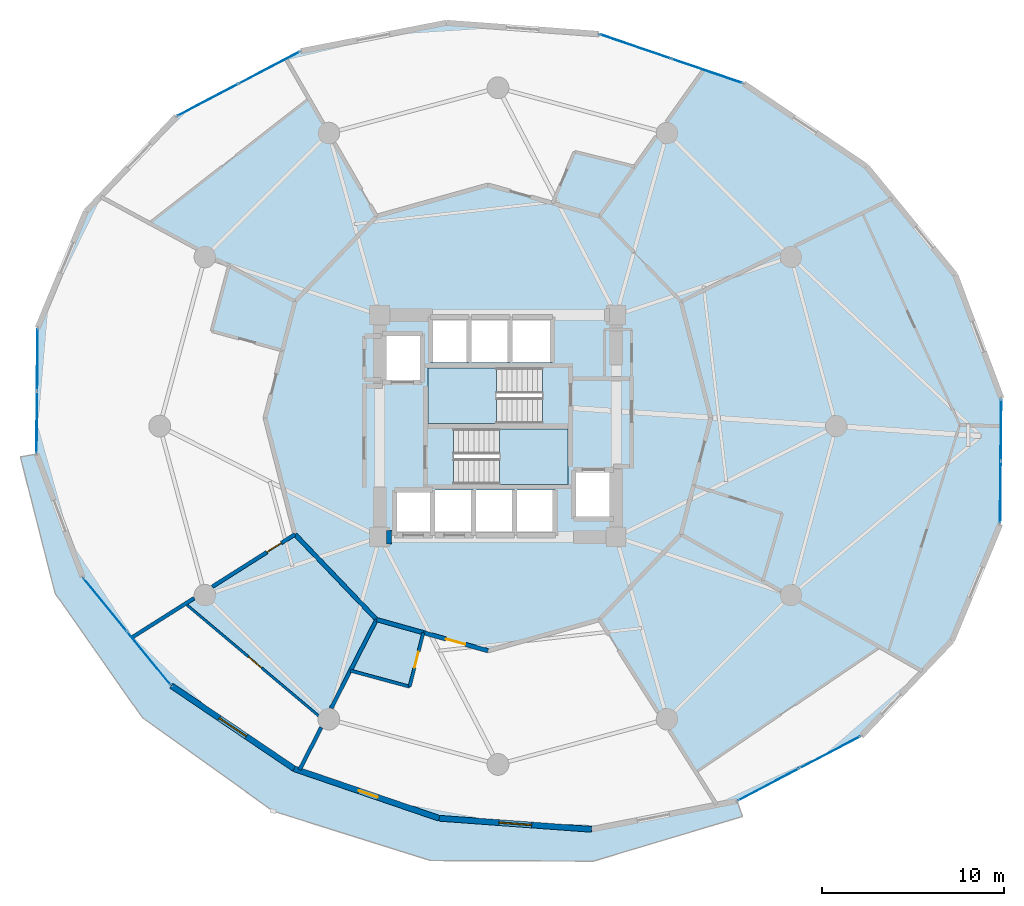
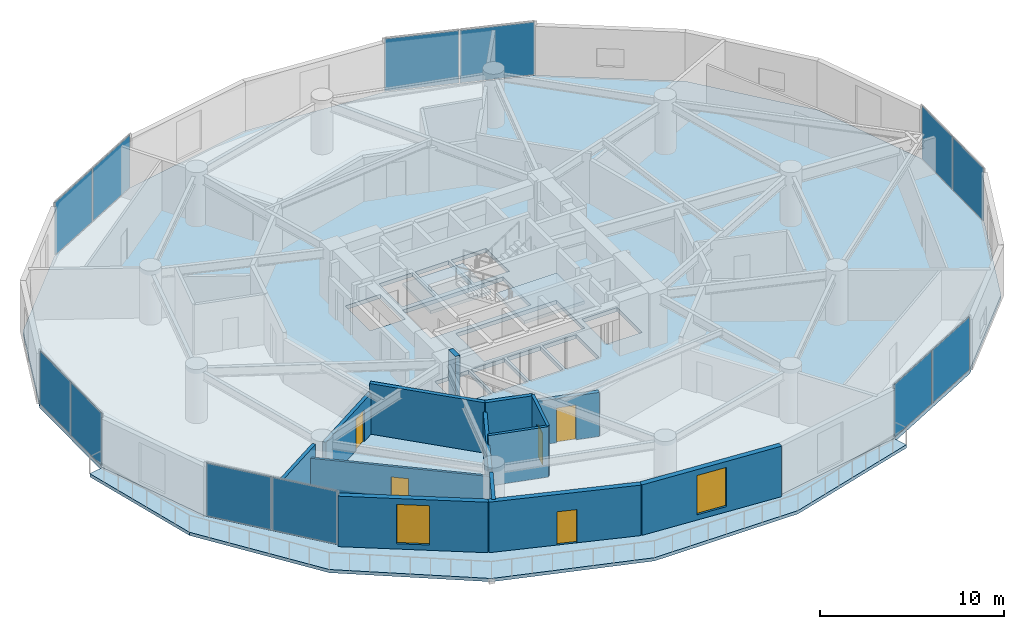
# One storey, part 14 of 20: 14 walls, 12 plates, 5 doors, 4 slabs, 2 windows, 7 openings, 8 elements without a shape of their own.
"""IFC4 building model written with IfcOpenShell, lengths in metres."""

from ifc_helpers import new_model, si_unit, direction, frame, frame_2d, origin, origin_2d, place, context, subcontext, project, spatial, polyline, rectangle, outline, extrude, source, transform, mapped, material, layer, layer_set, type_object, element, fill, aggregate, save


model = new_model("IFC4")

# Units and contexts
model_context = context("Model", 3, precision=1e-05, world=origin(), true_north=direction((0.0, 1.0)))
body_context = subcontext(model_context, "Body", "Model", "MODEL_VIEW")
ifc_project = project(units=[si_unit("LENGTHUNIT", "METRE"), si_unit("AREAUNIT", "SQUARE_METRE"), si_unit("VOLUMEUNIT", "CUBIC_METRE"), si_unit("PLANEANGLEUNIT", "RADIAN"), si_unit("MASSUNIT", "GRAM", prefix="KILO")], contexts=[model_context])

# Site, building, storey
site_placement = place(None, origin())
site = spatial("IfcSite", under=ifc_project, at=site_placement, CompositionType="ELEMENT")
building_placement = place(site_placement, origin())
building = spatial("IfcBuilding", under=site, at=building_placement, Name="Solvirekh Grand Hotel", CompositionType="ELEMENT")
storey_placement = place(building_placement, frame((0.0, 0.0, 50.0)))
storey = spatial("IfcBuildingStorey", under=building, at=storey_placement, Name="L11", CompositionType="ELEMENT", Elevation=50.0)

# Slab
ifc_material_1 = material(Name="Concrete C50/60", Category="concrete")
ifc_layer_1 = layer(ifc_material_1, 0.215087890625)
ifc_layer_set_1 = layer_set([ifc_layer_1], Name="Concrete C50/60")
slab_type_1 = type_object("IfcSlabType", Name="ExtCrescentBalc_215", PredefinedType="FLOOR", material=ifc_layer_set_1)
slab_1_placement = place(storey_placement, frame((0.0, 0.0, -0.215087890625)))
element("IfcSlab", 1, at=slab_1_placement, inside=storey, type_object=slab_type_1, Name="L11 sweeping crescent balcony slab", PredefinedType="FLOOR", context=body_context, shape_type="SweptSolid", body=[
    extrude(outline(polyline([(-26.2548828125, -1.693115234375), (-24.347900390625, -9.18896484375), (-19.547119140625, -16.029052734375), (-12.35791015625, -21.1650390625), (-3.717041015625, -23.881103515625), (5.248046875, -23.9150390625), (13.44091796875, -21.4599609375), (13.14599609375, -20.60888671875), (5.14697265625, -22.16796875), (-3.243896484375, -21.556884765625), (-11.2041015625, -18.8349609375), (-17.955078125, -14.27001953125), (-22.8359375, -8.30810546875), (-25.368896484375, -1.532958984375), (-26.2548828125, -1.693115234375)])), origin(), (0.0, 0.0, 1.0), 0.215087890625),
])

# Stair, slab
ifc_material_2 = material(Name="Concrete C40/50", Category="concrete")
stair_type = type_object("IfcStairType", Name="Stair_Core_1450", PredefinedType="HALF_TURN_STAIR", material=ifc_material_2)
stair_1_placement = place(storey_placement, origin())
stair_1 = element("IfcStair", 2, at=stair_1_placement, inside=storey, type_object=stair_type, Name="L11 Enclosed exit stair ST-1", PredefinedType="HALF_TURN_STAIR")
ifc_layer_2 = layer(ifc_material_2, 0.199951171875)
ifc_layer_set_2 = layer_set([ifc_layer_2], Name="Concrete C40/50")
slab_type_2 = type_object("IfcSlabType", Name="Landing_Stair_200", PredefinedType="LANDING", material=ifc_layer_set_2)
slab_2_placement = place(storey_placement, frame((0.0, 0.0, 1.60009765625)))
slab_2 = element("IfcSlab", 3, at=slab_2_placement, type_object=slab_type_2, Name="ST-1 landing 1", PredefinedType="LANDING", context=body_context, shape_type="SweptSolid", body=[
    extrude(outline(polyline([(0.070068359375, -3.199951171875), (3.85009765625, -3.199951171875), (3.85009765625, -0.14990234375), (0.070068359375, -0.14990234375), (0.070068359375, -3.199951171875)])), origin(), (0.0, 0.0, 1.0), 0.199951171875),
])
aggregate(stair_1, [slab_2])

stair_2_placement = place(storey_placement, origin())
stair_2 = element("IfcStair", 4, at=stair_2_placement, inside=storey, type_object=stair_type, Name="L11 Enclosed exit stair ST-2", PredefinedType="HALF_TURN_STAIR")
slab_3_placement = place(storey_placement, frame((0.0, 0.0, 1.60009765625)))
slab_3 = element("IfcSlab", 5, at=slab_3_placement, type_object=slab_type_2, Name="ST-2 landing 1", PredefinedType="LANDING", context=body_context, shape_type="SweptSolid", body=[
    extrude(outline(polyline([(-0.070068359375, 3.199951171875), (-3.85009765625, 3.199951171875), (-3.85009765625, 0.14990234375), (-0.070068359375, 0.14990234375), (-0.070068359375, 3.199951171875)])), origin(), (0.0, 0.0, 1.0), 0.199951171875),
])
aggregate(stair_2, [slab_3])

# Slab
ifc_layer_3 = layer(ifc_material_1, 0.260009765625)
ifc_layer_set_3 = layer_set([ifc_layer_3], Name="Concrete C50/60")
slab_type_3 = type_object("IfcSlabType", Name="Slab_GuestZ1_260", PredefinedType="FLOOR", material=ifc_layer_set_3)
slab_4_placement = place(storey_placement, frame((0.0, 0.0, -0.260009765625)))
element("IfcSlab", 6, at=slab_4_placement, inside=storey, type_object=slab_type_3, Name="L11 structural floor slab", PredefinedType="FLOOR", context=body_context, shape_type="SweptSolid", body=[
    extrude(outline(polyline([(27.60595703125, -5.39208984375), (27.6689453125, 1.532958984375), (25.135986328125, 8.30810546875), (20.2548828125, 14.27001953125), (13.50390625, 18.8349609375), (5.5439453125, 21.556884765625), (-2.846923828125, 22.16796875), (-10.845947265625, 20.60888671875), (-17.6708984375, 17.032958984375), (-22.654052734375, 11.7900390625), (-25.305908203125, 5.39208984375), (-25.368896484375, -1.532958984375), (-22.8359375, -8.30810546875), (-17.955078125, -14.27001953125), (-11.2041015625, -18.8349609375), (-3.243896484375, -21.556884765625), (5.14697265625, -22.16796875), (13.14599609375, -20.60888671875), (19.970947265625, -17.032958984375), (24.9541015625, -11.7900390625), (27.60595703125, -5.39208984375)]), holes=[polyline([(-2.444091796875, -0.14990234375), (3.85009765625, -0.14990234375), (3.85009765625, -3.199951171875), (-2.444091796875, -3.199951171875), (-2.444091796875, -0.14990234375)]), polyline([(2.444091796875, 0.14990234375), (-3.85009765625, 0.14990234375), (-3.85009765625, 3.199951171875), (2.444091796875, 3.199951171875), (2.444091796875, 0.14990234375)]), polyline([(-5.699951171875, -3.5), (-3.60009765625, -3.5), (-3.60009765625, -6.0), (-5.699951171875, -6.0), (-5.699951171875, -3.5)]), polyline([(-3.449951171875, -3.5), (-1.35009765625, -3.5), (-1.35009765625, -6.0), (-3.449951171875, -6.0), (-3.449951171875, -3.5)]), polyline([(-1.199951171875, -3.5), (0.89990234375, -3.5), (0.89990234375, -6.0), (-1.199951171875, -6.0), (-1.199951171875, -3.5)]), polyline([(1.050048828125, -3.5), (3.14990234375, -3.5), (3.14990234375, -6.0), (1.050048828125, -6.0), (1.050048828125, -3.5)]), polyline([(-3.699951171875, 6.0), (-1.60009765625, 6.0), (-1.60009765625, 3.5), (-3.699951171875, 3.5), (-3.699951171875, 6.0)]), polyline([(-1.449951171875, 6.0), (0.64990234375, 6.0), (0.64990234375, 3.5), (-1.449951171875, 3.5), (-1.449951171875, 6.0)]), polyline([(0.800048828125, 6.0), (3.0, 6.0), (3.0, 3.5), (0.800048828125, 3.5), (0.800048828125, 6.0)]), polyline([(-6.35009765625, 5.10009765625), (-4.14990234375, 5.10009765625), (-4.14990234375, 2.39990234375), (-6.35009765625, 2.39990234375), (-6.35009765625, 5.10009765625)]), polyline([(4.14990234375, -2.39990234375), (6.35009765625, -2.39990234375), (6.35009765625, -5.10009765625), (4.14990234375, -5.10009765625), (4.14990234375, -2.39990234375)])]), origin(), (0.0, 0.0, 1.0), 0.260009765625),
])

# Curtain wall, plates
ifc_material_3 = material(Name="Anodized Bronze Aluminium 6063-T6", Category="aluminium")
ifc_layer_4 = layer(ifc_material_3, 0.18994140625)
ifc_layer_set_4 = layer_set([ifc_layer_4], Name="Anodized Bronze Aluminium 6063-T6")
curtain_wall_type = type_object("IfcCurtainWallType", Name="CW_Sys2_LowZoneFlushBronzeCW", PredefinedType="NOTDEFINED", material=ifc_layer_set_4)
curtain_wall_1_placement = place(storey_placement, origin())
curtain_wall_1 = element("IfcCurtainWall", 7, at=curtain_wall_1_placement, inside=storey, type_object=curtain_wall_type, Name="L11 unitised bronze-glass curtain wall CW-L11-C08", PredefinedType="NOTDEFINED")
ifc_material_4 = material(Name="Low-E Tinted Bronze Laminated Glass", Category="aluminium")
ifc_layer_5 = layer(ifc_material_4, 0.0380859375)
ifc_layer_set_5 = layer_set([ifc_layer_5], Name="Low-E Tinted Bronze Laminated Glass")
plate_type = type_object("IfcPlateType", Name="CWPanel_Low_38", PredefinedType="CURTAIN_PANEL", material=ifc_layer_set_5)
shared_shape_1 = source(origin(), body_context, "Body", "SweptSolid", [
    extrude(rectangle(XDim=3.74755859375, YDim=0.0380859375, at=origin_2d()), origin(), (0.0, 0.0, 1.0), 3.47998046875),
])
plate_1_placement = place(storey_placement, frame((-12.56787109375, 19.706787109375, 0.06005859375), z_axis=(0.0, 0.0, 1.0), x_axis=(-0.885778183898, -0.464108833066, 0.0)))
plate_1 = element("IfcPlate", 8, at=plate_1_placement, type_object=plate_type, Name="U02 panel 1.1", PredefinedType="CURTAIN_PANEL", context=body_context, shape_type="MappedRepresentation", body=[
    mapped(shared_shape_1, transform((0.0, 0.0, 0.0), x_axis=(1.0, 0.0, 0.0), y_axis=(0.0, 1.0, 0.0), z_axis=(0.0, 0.0, 1.0), scale=1.0)),
])
plate_2_placement = place(storey_placement, frame((-15.94921875, 17.93505859375, 0.06005859375), z_axis=(0.0, 0.0, 1.0), x_axis=(-0.885778183898, -0.464108833066, 0.0)))
plate_2 = element("IfcPlate", 9, at=plate_2_placement, type_object=plate_type, Name="U02 panel 2.1", PredefinedType="CURTAIN_PANEL", context=body_context, shape_type="MappedRepresentation", body=[
    mapped(shared_shape_1, transform((0.0, 0.0, 0.0), x_axis=(1.0, 0.0, 0.0), y_axis=(0.0, 1.0, 0.0), z_axis=(0.0, 0.0, 1.0), scale=1.0)),
])
aggregate(curtain_wall_1, [plate_1, plate_2])

curtain_wall_2_placement = place(storey_placement, origin())
curtain_wall_2 = element("IfcCurtainWall", 10, at=curtain_wall_2_placement, inside=storey, type_object=curtain_wall_type, Name="L11 unitised bronze-glass curtain wall CW-L11-C13", PredefinedType="NOTDEFINED")
plate_3_placement = place(storey_placement, frame((-21.604736328125, -9.81201171875, 0.06005859375), z_axis=(0.0, 0.0, 1.0), x_axis=(0.633470985475, -0.773766444453, 0.0)))
plate_3 = element("IfcPlate", 11, at=plate_3_placement, type_object=plate_type, Name="U02 panel 1.1", PredefinedType="CURTAIN_PANEL", context=body_context, shape_type="MappedRepresentation", body=[
    mapped(shared_shape_1, transform((0.0, 0.0, 0.0), x_axis=(1.0, 0.0, 0.0), y_axis=(0.0, 1.0, 0.0), z_axis=(0.0, 0.0, 1.0), scale=1.0)),
])
plate_4_placement = place(storey_placement, frame((-19.186279296875, -12.765869140625, 0.06005859375), z_axis=(0.0, 0.0, 1.0), x_axis=(0.633470985475, -0.773766444453, 0.0)))
plate_4 = element("IfcPlate", 12, at=plate_4_placement, type_object=plate_type, Name="U02 panel 2.1", PredefinedType="CURTAIN_PANEL", context=body_context, shape_type="MappedRepresentation", body=[
    mapped(shared_shape_1, transform((0.0, 0.0, 0.0), x_axis=(1.0, 0.0, 0.0), y_axis=(0.0, 1.0, 0.0), z_axis=(0.0, 0.0, 1.0), scale=1.0)),
])
aggregate(curtain_wall_2, [plate_3, plate_4])

curtain_wall_3_placement = place(storey_placement, origin())
curtain_wall_3 = element("IfcCurtainWall", 13, at=curtain_wall_3_placement, inside=storey, type_object=curtain_wall_type, Name="L11 unitised bronze-glass curtain wall CW-L11-C18", PredefinedType="NOTDEFINED")
plate_5_placement = place(storey_placement, frame((14.86767578125, -19.706787109375, 0.06005859375), z_axis=(0.0, 0.0, 1.0), x_axis=(0.885778183898, 0.464108833066, 0.0)))
plate_5 = element("IfcPlate", 14, at=plate_5_placement, type_object=plate_type, Name="U02 panel 1.1", PredefinedType="CURTAIN_PANEL", context=body_context, shape_type="MappedRepresentation", body=[
    mapped(shared_shape_1, transform((0.0, 0.0, 0.0), x_axis=(1.0, 0.0, 0.0), y_axis=(0.0, 1.0, 0.0), z_axis=(0.0, 0.0, 1.0), scale=1.0)),
])
plate_6_placement = place(storey_placement, frame((18.249267578125, -17.93505859375, 0.06005859375), z_axis=(0.0, 0.0, 1.0), x_axis=(0.885778183898, 0.464108833066, 0.0)))
plate_6 = element("IfcPlate", 15, at=plate_6_placement, type_object=plate_type, Name="U02 panel 2.1", PredefinedType="CURTAIN_PANEL", context=body_context, shape_type="MappedRepresentation", body=[
    mapped(shared_shape_1, transform((0.0, 0.0, 0.0), x_axis=(1.0, 0.0, 0.0), y_axis=(0.0, 1.0, 0.0), z_axis=(0.0, 0.0, 1.0), scale=1.0)),
])
aggregate(curtain_wall_3, [plate_5, plate_6])

curtain_wall_4_placement = place(storey_placement, origin())
curtain_wall_4 = element("IfcCurtainWall", 16, at=curtain_wall_4_placement, inside=storey, type_object=curtain_wall_type, Name="L11 unitised bronze-glass curtain wall CW-L11-C01", PredefinedType="NOTDEFINED")
shared_shape_2 = source(origin(), body_context, "Body", "SweptSolid", [
    extrude(rectangle(XDim=3.357666015625, YDim=0.0380859375, at=origin_2d()), origin(), (0.0, 0.0, 1.0), 3.47998046875),
])
plate_7_placement = place(storey_placement, frame((27.621826171875, -3.643310546875, 0.06005859375), z_axis=(0.0, 0.0, 1.0), x_axis=(0.00909709647, 0.999958620562, 0.0)))
plate_7 = element("IfcPlate", 17, at=plate_7_placement, type_object=plate_type, Name="U02 panel 1.1", PredefinedType="CURTAIN_PANEL", context=body_context, shape_type="MappedRepresentation", body=[
    mapped(shared_shape_2, transform((0.0, 0.0, 0.0), x_axis=(1.0, 0.0, 0.0), y_axis=(0.0, 1.0, 0.0), z_axis=(0.0, 0.0, 1.0), scale=1.0)),
])
plate_8_placement = place(storey_placement, frame((27.653076171875, -0.2158203125, 0.06005859375), z_axis=(0.0, 0.0, 1.0), x_axis=(0.00909709647, 0.999958620562, 0.0)))
plate_8 = element("IfcPlate", 18, at=plate_8_placement, type_object=plate_type, Name="U02 panel 2.1", PredefinedType="CURTAIN_PANEL", context=body_context, shape_type="MappedRepresentation", body=[
    mapped(shared_shape_2, transform((0.0, 0.0, 0.0), x_axis=(1.0, 0.0, 0.0), y_axis=(0.0, 1.0, 0.0), z_axis=(0.0, 0.0, 1.0), scale=1.0)),
])
aggregate(curtain_wall_4, [plate_7, plate_8])

curtain_wall_5_placement = place(storey_placement, origin())
curtain_wall_5 = element("IfcCurtainWall", 19, at=curtain_wall_5_placement, inside=storey, type_object=curtain_wall_type, Name="L11 unitised bronze-glass curtain wall CW-L11-C11", PredefinedType="NOTDEFINED")
plate_9_placement = place(storey_placement, frame((-25.322021484375, 3.643310546875, 0.06005859375), z_axis=(0.0, 0.0, 1.0), x_axis=(-0.00909709647, -0.999958620562, 0.0)))
plate_9 = element("IfcPlate", 20, at=plate_9_placement, type_object=plate_type, Name="U02 panel 1.1", PredefinedType="CURTAIN_PANEL", context=body_context, shape_type="MappedRepresentation", body=[
    mapped(shared_shape_2, transform((0.0, 0.0, 0.0), x_axis=(1.0, 0.0, 0.0), y_axis=(0.0, 1.0, 0.0), z_axis=(0.0, 0.0, 1.0), scale=1.0)),
])
plate_10_placement = place(storey_placement, frame((-25.35302734375, 0.2158203125, 0.06005859375), z_axis=(0.0, 0.0, 1.0), x_axis=(-0.00909709647, -0.999958620562, 0.0)))
plate_10 = element("IfcPlate", 21, at=plate_10_placement, type_object=plate_type, Name="U02 panel 2.1", PredefinedType="CURTAIN_PANEL", context=body_context, shape_type="MappedRepresentation", body=[
    mapped(shared_shape_2, transform((0.0, 0.0, 0.0), x_axis=(1.0, 0.0, 0.0), y_axis=(0.0, 1.0, 0.0), z_axis=(0.0, 0.0, 1.0), scale=1.0)),
])
aggregate(curtain_wall_5, [plate_9, plate_10])

curtain_wall_6_placement = place(storey_placement, origin())
curtain_wall_6 = element("IfcCurtainWall", 22, at=curtain_wall_6_placement, inside=storey, type_object=curtain_wall_type, Name="L11 unitised bronze-glass curtain wall CW-L11-C05", PredefinedType="NOTDEFINED")
shared_shape_3 = source(origin(), body_context, "Body", "SweptSolid", [
    extrude(rectangle(XDim=4.101318359375, YDim=0.0380859375, at=origin_2d()), origin(), (0.0, 0.0, 1.0), 3.47998046875),
])
plate_11_placement = place(storey_placement, frame((11.49755859375, 19.521240234375, 0.06005859375), z_axis=(0.0, 0.0, 1.0), x_axis=(-0.946206130502, 0.323564458186, 0.0)))
plate_11 = element("IfcPlate", 23, at=plate_11_placement, type_object=plate_type, Name="U02 panel 1.1", PredefinedType="CURTAIN_PANEL", context=body_context, shape_type="MappedRepresentation", body=[
    mapped(shared_shape_3, transform((0.0, 0.0, 0.0), x_axis=(1.0, 0.0, 0.0), y_axis=(0.0, 1.0, 0.0), z_axis=(0.0, 0.0, 1.0), scale=1.0)),
])
plate_12_placement = place(storey_placement, frame((7.550537109375, 20.870849609375, 0.06005859375), z_axis=(0.0, 0.0, 1.0), x_axis=(-0.946206130502, 0.323564458186, 0.0)))
plate_12 = element("IfcPlate", 24, at=plate_12_placement, type_object=plate_type, Name="U02 panel 2.1", PredefinedType="CURTAIN_PANEL", context=body_context, shape_type="MappedRepresentation", body=[
    mapped(shared_shape_3, transform((0.0, 0.0, 0.0), x_axis=(1.0, 0.0, 0.0), y_axis=(0.0, 1.0, 0.0), z_axis=(0.0, 0.0, 1.0), scale=1.0)),
])
aggregate(curtain_wall_6, [plate_11, plate_12])

# Wall
ifc_material_5 = material(Name="Concrete C60/75", Category="concrete")
ifc_layer_6 = layer(ifc_material_5, 0.75)
ifc_layer_set_6 = layer_set([ifc_layer_6], Name="Concrete C60/75")
wall_type_1 = type_object("IfcWallType", Name="CoreWall_RC750", PredefinedType="SHEAR", material=ifc_layer_set_6)
wall_1_placement = place(storey_placement, frame((-6.125, -6.10009765625, 0.0), z_axis=(0.0, 0.0, 1.0), x_axis=(1.0, 0.0, 0.0)))
element("IfcWall", 25, at=wall_1_placement, inside=storey, type_object=wall_type_1, Name="L11 core corner shear wall SW-S", PredefinedType="SHEAR", context=body_context, shape_type="SweptSolid", body=[
    extrude(rectangle(XDim=0.27490234375, YDim=0.75, at=frame_2d((0.137451171875, 0.0))), origin(), (0.0, 0.0, 1.0), 3.60009765625),
])

# Wall, opening, window
ifc_material_6 = material(Name="Precast concrete C45/55", Category="concrete")
ifc_layer_7 = layer(ifc_material_6, 0.320068359375)
ifc_layer_set_7 = layer_set([ifc_layer_7], Name="Precast concrete C45/55")
wall_type_2 = type_object("IfcWallType", Name="ExtLobbyWall_RC320", PredefinedType="SOLIDWALL", material=ifc_layer_set_7)
wall_2_placement = place(storey_placement, frame((-11.2041015625, -18.8349609375, 0.0), z_axis=(0.0, 0.0, 1.0), x_axis=(-0.828391352283, 0.560149772349, 0.0)))
wall_2 = element("IfcWall", 26, at=wall_2_placement, inside=storey, type_object=wall_type_2, Name="L11 exterior structural wall chord 14", PredefinedType="SOLIDWALL", context=body_context, shape_type="SweptSolid", body=[
    extrude(rectangle(XDim=8.1494140625, YDim=0.320068359375, at=frame_2d((4.07470703125, 0.0))), origin(), (0.0, 0.0, 1.0), 3.340087890625),
])
opening_1_placement = place(wall_2_placement, frame((3.175048828125, 0.0, 0.35009765625)))
opening_1 = element("IfcOpeningElement", 27, at=opening_1_placement, cuts=wall_2, Name="Opening W02", PredefinedType="OPENING", context=body_context, shape_type="SweptSolid", body=[
    extrude(rectangle(XDim=1.800048828125, YDim=2.60009765625, at=frame_2d((0.89990234375, 1.300048828125))), frame((0.0, 0.169921875, 0.0), z_axis=(0.0, -1.0, 0.0), x_axis=(1.0, 0.0, 0.0)), (0.0, 0.0, 1.0), 0.340087890625),
])
window_type = type_object("IfcWindowType", Name="Win_LobbyExt_1800X2600", PartitioningType="SINGLE_PANEL", PredefinedType="WINDOW", material=ifc_material_4)
window_1_placement = place(opening_1_placement, origin())
window_1 = element("IfcWindow", 28, at=window_1_placement, inside=storey, type_object=window_type, Name="L11 panoramic bronze-framed window 14", OverallHeight=2.60009765625, OverallWidth=1.800048828125, PartitioningType="SINGLE_PANEL", PredefinedType="WINDOW", context=body_context, shape_type="SweptSolid", body=[
    extrude(rectangle(XDim=1.800048828125, YDim=2.60009765625, at=frame_2d((0.89990234375, 1.300048828125))), frame((0.0, 0.030029296875, 0.0), z_axis=(0.0, -1.0, 0.0), x_axis=(1.0, 0.0, 0.0)), (0.0, 0.0, 1.0), 0.06005859375),
])
fill(opening_1, window_1)

# Wall, opening, door
wall_3_placement = place(storey_placement, frame((-3.243896484375, -21.556884765625, 0.0), z_axis=(0.0, 0.0, 1.0), x_axis=(-0.94621145459, 0.323548888429, 0.0)))
wall_3 = element("IfcWall", 29, at=wall_3_placement, inside=storey, type_object=wall_type_2, Name="L11 exterior structural wall chord 15", PredefinedType="SOLIDWALL", context=body_context, shape_type="SweptSolid", body=[
    extrude(rectangle(XDim=8.41259765625, YDim=0.320068359375, at=frame_2d((4.206298828125, 0.0))), origin(), (0.0, 0.0, 1.0), 3.340087890625),
])
opening_2_placement = place(wall_3_placement, frame((3.556884765625, 0.0, 0.0)))
opening_2 = element("IfcOpeningElement", 30, at=opening_2_placement, cuts=wall_3, Name="Opening D03", PredefinedType="OPENING", context=body_context, shape_type="SweptSolid", body=[
    extrude(rectangle(XDim=1.10009765625, YDim=2.199951171875, at=frame_2d((0.550048828125, 1.10009765625))), frame((0.0, 0.169921875, 0.0), z_axis=(0.0, -1.0, 0.0), x_axis=(1.0, 0.0, 0.0)), (0.0, 0.0, 1.0), 0.340087890625),
])
door_type_1 = type_object("IfcDoorType", Name="Door_ExtBalcony_1100X2200", OperationType="NOTDEFINED", PredefinedType="DOOR", material=ifc_material_3)
door_1_placement = place(opening_2_placement, origin())
door_1 = element("IfcDoor", 31, at=door_1_placement, inside=storey, type_object=door_type_1, Name="L11 Crescent balcony glazed door (15)", OperationType="SINGLE_SWING_LEFT", OverallHeight=2.199951171875, OverallWidth=1.10009765625, PredefinedType="DOOR", context=body_context, shape_type="SweptSolid", body=[
    extrude(rectangle(XDim=1.10009765625, YDim=2.199951171875, at=frame_2d((0.550048828125, 1.10009765625))), frame((0.0, 0.02490234375, 0.0), z_axis=(0.0, -1.0, 0.0), x_axis=(1.0, 0.0, 0.0)), (0.0, 0.0, 1.0), 0.050048828125),
])
fill(opening_2, door_1)

# Wall, opening, window
wall_4_placement = place(storey_placement, frame((5.14697265625, -22.16796875, 0.0), z_axis=(0.0, 0.0, 1.0), x_axis=(-0.997358597799, 0.072634891044, 0.0)))
wall_4 = element("IfcWall", 32, at=wall_4_placement, inside=storey, type_object=wall_type_2, Name="L11 exterior structural wall chord 16", PredefinedType="SOLIDWALL", context=body_context, shape_type="SweptSolid", body=[
    extrude(rectangle(XDim=8.4130859375, YDim=0.320068359375, at=frame_2d((4.20654296875, 0.0))), origin(), (0.0, 0.0, 1.0), 3.340087890625),
])
opening_3_placement = place(wall_4_placement, frame((3.306884765625, 0.0, 0.35009765625)))
opening_3 = element("IfcOpeningElement", 33, at=opening_3_placement, cuts=wall_4, Name="Opening W02", PredefinedType="OPENING", context=body_context, shape_type="SweptSolid", body=[
    extrude(rectangle(XDim=1.800048828125, YDim=2.60009765625, at=frame_2d((0.89990234375, 1.300048828125))), frame((0.0, 0.169921875, 0.0), z_axis=(0.0, -1.0, 0.0), x_axis=(1.0, 0.0, 0.0)), (0.0, 0.0, 1.0), 0.340087890625),
])
window_2_placement = place(opening_3_placement, origin())
window_2 = element("IfcWindow", 34, at=window_2_placement, inside=storey, type_object=window_type, Name="L11 panoramic bronze-framed window 16", OverallHeight=2.60009765625, OverallWidth=1.800048828125, PartitioningType="SINGLE_PANEL", PredefinedType="WINDOW", context=body_context, shape_type="SweptSolid", body=[
    extrude(rectangle(XDim=1.800048828125, YDim=2.60009765625, at=frame_2d((0.89990234375, 1.300048828125))), frame((0.0, 0.030029296875, 0.0), z_axis=(0.0, -1.0, 0.0), x_axis=(1.0, 0.0, 0.0)), (0.0, 0.0, 1.0), 0.06005859375),
])
fill(opening_3, window_2)

# Walls
ifc_material_7 = material(Name="Acoustic Gypsum Partition Assembly")
ifc_layer_8 = layer(ifc_material_7, 0.239990234375)
ifc_layer_set_8 = layer_set([ifc_layer_8], Name="Acoustic Gypsum Partition Assembly")
wall_type_3 = type_object("IfcWallType", Name="Part_Corridor_240", PredefinedType="PARTITIONING", material=ifc_layer_set_8)
wall_5_placement = place(storey_placement, frame((-11.158935546875, -5.949951171875, 0.0), z_axis=(0.0, 0.0, 1.0), x_axis=(0.691426053968, -0.722447238138, 0.0)))
element("IfcWall", 35, at=wall_5_placement, inside=storey, type_object=wall_type_3, Name="L11 Diplomatic Suite 1302 Suite Foyer corridor enclosure wall", PredefinedType="PARTITIONING", context=body_context, shape_type="SweptSolid", body=[
    extrude(rectangle(XDim=6.48486328125, YDim=0.239990234375, at=frame_2d((3.242431640625, 0.0))), origin(), (0.0, 0.0, 1.0), 3.340087890625),
])
wall_6_placement = place(storey_placement, frame((-6.675048828125, -10.635009765625, 0.0), z_axis=(0.0, 0.0, 1.0), x_axis=(0.962983004146, -0.269562114782, 0.0)))
element("IfcWall", 36, at=wall_6_placement, inside=storey, type_object=wall_type_3, Name="L11 En-suite Bathroom 1303 corridor backing wall", PredefinedType="PARTITIONING", context=body_context, shape_type="SweptSolid", body=[
    extrude(rectangle(XDim=2.6708984375, YDim=0.239990234375, at=frame_2d((1.33544921875, 0.0))), origin(), (0.0, 0.0, 1.0), 3.340087890625),
])

# Wall, opening, door
wall_7_placement = place(storey_placement, frame((-4.10302734375, -11.35498046875, 0.0), z_axis=(0.0, 0.0, 1.0), x_axis=(0.962944088122, -0.269701099648, 0.0)))
wall_7 = element("IfcWall", 37, at=wall_7_placement, inside=storey, type_object=wall_type_3, Name="L11 Diplomatic Suite 1303 Living Room entrance wall", PredefinedType="PARTITIONING", context=body_context, shape_type="SweptSolid", body=[
    extrude(rectangle(XDim=3.689697265625, YDim=0.239990234375, at=frame_2d((1.8447265625, 0.0))), origin(), (0.0, 0.0, 1.0), 2.9189453125),
])
opening_4_placement = place(wall_7_placement, frame((1.294921875, 0.0, 0.0)))
opening_4 = element("IfcOpeningElement", 38, at=opening_4_placement, cuts=wall_7, Name="Opening D08", PredefinedType="OPENING", context=body_context, shape_type="SweptSolid", body=[
    extrude(rectangle(XDim=1.10009765625, YDim=2.300048828125, at=frame_2d((0.550048828125, 1.14990234375))), frame((0.0, 0.1298828125, 0.0), z_axis=(0.0, -1.0, 0.0), x_axis=(1.0, 0.0, 0.0)), (0.0, 0.0, 1.0), 0.260009765625),
])
ifc_material_8 = material(Name="Fire-Rated Steel Door Assembly", Category="steel")
door_type_2 = type_object("IfcDoorType", Name="Door_SuiteEntry_1100X2300", OperationType="NOTDEFINED", PredefinedType="DOOR", material=ifc_material_8)
door_2_placement = place(opening_4_placement, origin())
door_2 = element("IfcDoor", 39, at=door_2_placement, inside=storey, type_object=door_type_2, Name="L11 Diplomatic Suite 1303 Living Room entrance door", OperationType="SINGLE_SWING_LEFT", OverallHeight=2.300048828125, OverallWidth=1.10009765625, PredefinedType="DOOR", context=body_context, shape_type="SweptSolid", body=[
    extrude(rectangle(XDim=1.10009765625, YDim=2.300048828125, at=frame_2d((0.550048828125, 1.14990234375))), frame((0.0, 0.02490234375, 0.0), z_axis=(0.0, -1.0, 0.0), x_axis=(1.0, 0.0, 0.0)), (0.0, 0.0, 1.0), 0.050048828125),
])
fill(opening_4, door_2)

ifc_layer_9 = layer(ifc_material_7, 0.135009765625)
ifc_layer_set_9 = layer_set([ifc_layer_9], Name="Acoustic Gypsum Partition Assembly")
wall_type_4 = type_object("IfcWallType", Name="Part_RoomInt_135", PredefinedType="PARTITIONING", material=ifc_layer_set_9)
wall_8_placement = place(storey_placement, frame((-17.18701171875, -9.762939453125, 0.0), z_axis=(0.0, 0.0, 1.0), x_axis=(0.764837174909, -0.644223638092, 0.0)))
wall_8 = element("IfcWall", 40, at=wall_8_placement, inside=storey, type_object=wall_type_4, Name="L11 Diplomatic Suite 1302 Suite Foyer bedroom screen wall", PredefinedType="PARTITIONING", context=body_context, shape_type="SweptSolid", body=[
    extrude(rectangle(XDim=10.00732421875, YDim=0.135009765625, at=frame_2d((5.003662109375, 0.0))), origin(), (0.0, 0.0, 1.0), 2.7919921875),
])
opening_5_placement = place(wall_8_placement, frame((4.529052734375, 0.0, 0.0)))
opening_5 = element("IfcOpeningElement", 41, at=opening_5_placement, cuts=wall_8, Name="Opening D10", PredefinedType="OPENING", context=body_context, shape_type="SweptSolid", body=[
    extrude(rectangle(XDim=0.949951171875, YDim=2.10009765625, at=frame_2d((0.47509765625, 1.050048828125))), frame((0.0, 0.07763671875, 0.0), z_axis=(0.0, -1.0, 0.0), x_axis=(1.0, 0.0, 0.0)), (0.0, 0.0, 1.0), 0.155029296875),
])
door_type_3 = type_object("IfcDoorType", Name="Door_RoomInt_950X2100", OperationType="NOTDEFINED", PredefinedType="DOOR", material=ifc_material_3)
door_3_placement = place(opening_5_placement, origin())
door_3 = element("IfcDoor", 42, at=door_3_placement, inside=storey, type_object=door_type_3, Name="L11 Diplomatic Suite 1302 Suite Foyer master bedroom door", OperationType="SINGLE_SWING_LEFT", OverallHeight=2.10009765625, OverallWidth=0.949951171875, PredefinedType="DOOR", context=body_context, shape_type="SweptSolid", body=[
    extrude(rectangle(XDim=0.949951171875, YDim=2.10009765625, at=frame_2d((0.47509765625, 1.050048828125))), frame((0.0, 0.02490234375, 0.0), z_axis=(0.0, -1.0, 0.0), x_axis=(1.0, 0.0, 0.0)), (0.0, 0.0, 1.0), 0.050048828125),
])
fill(opening_5, door_3)

ifc_layer_10 = layer(ifc_material_7, 0.2099609375)
ifc_layer_set_10 = layer_set([ifc_layer_10], Name="Acoustic Gypsum Partition Assembly")
wall_type_5 = type_object("IfcWallType", Name="Part_SuiteDemise_210", PredefinedType="PARTITIONING", material=ifc_layer_set_10)
wall_9_placement = place(storey_placement, frame((-11.158935546875, -5.949951171875, 0.0), z_axis=(0.0, 0.0, 1.0), x_axis=(-0.845113553302, -0.534586833008, 0.0)))
wall_9 = element("IfcWall", 43, at=wall_9_placement, inside=storey, type_object=wall_type_5, Name="L11 suite radial wall 8 (A)", PredefinedType="PARTITIONING", context=body_context, shape_type="SweptSolid", body=[
    extrude(rectangle(XDim=5.381591796875, YDim=0.2099609375, at=frame_2d((2.69091796875, 0.0))), origin(), (0.0, 0.0, 1.0), 2.7080078125),
])
opening_6_placement = place(wall_9_placement, frame((0.885986328125, 0.0, 0.0)))
opening_6 = element("IfcOpeningElement", 44, at=opening_6_placement, cuts=wall_9, Name="Opening D10", PredefinedType="OPENING", context=body_context, shape_type="SweptSolid", body=[
    extrude(rectangle(XDim=0.949951171875, YDim=2.10009765625, at=frame_2d((0.47509765625, 1.050048828125))), frame((0.0, 0.114990234375, 0.0), z_axis=(0.0, -1.0, 0.0), x_axis=(1.0, 0.0, 0.0)), (0.0, 0.0, 1.0), 0.22998046875),
])
door_4_placement = place(opening_6_placement, origin())
door_4 = element("IfcDoor", 45, at=door_4_placement, inside=storey, type_object=door_type_3, Name="L11 Diplomatic Suite 1302 Suite Foyer suite connecting door", OperationType="SINGLE_SWING_RIGHT", OverallHeight=2.10009765625, OverallWidth=0.949951171875, PredefinedType="DOOR", context=body_context, shape_type="SweptSolid", body=[
    extrude(rectangle(XDim=0.949951171875, YDim=2.10009765625, at=frame_2d((0.47509765625, 1.050048828125))), frame((0.0, 0.02490234375, 0.0), z_axis=(0.0, -1.0, 0.0), x_axis=(1.0, 0.0, 0.0)), (0.0, 0.0, 1.0), 0.050048828125),
])
fill(opening_6, door_4)

# Walls
wall_10_placement = place(storey_placement, frame((-16.70703125, -9.458984375, 0.0), z_axis=(0.0, 0.0, 1.0), x_axis=(-0.845097392872, -0.53461237973, 0.0)))
element("IfcWall", 46, at=wall_10_placement, inside=storey, type_object=wall_type_5, Name="L11 suite radial wall 8 (B)", PredefinedType="PARTITIONING", context=body_context, shape_type="SweptSolid", body=[
    extrude(rectangle(XDim=4.003173828125, YDim=0.2099609375, at=frame_2d((2.00146484375, 0.0))), origin(), (0.0, 0.0, 1.0), 3.340087890625),
])
wall_11_placement = place(storey_placement, frame((-6.675048828125, -10.635009765625, 0.0), z_axis=(0.0, 0.0, 1.0), x_axis=(-0.456172544556, -0.889891347072, 0.0)))
element("IfcWall", 47, at=wall_11_placement, inside=storey, type_object=wall_type_5, Name="L11 suite radial wall 9 (A)", PredefinedType="PARTITIONING", context=body_context, shape_type="SweptSolid", body=[
    extrude(rectangle(XDim=5.46923828125, YDim=0.2099609375, at=frame_2d((2.734619140625, 0.0))), origin(), (0.0, 0.0, 1.0), 2.7080078125),
])
wall_12_placement = place(storey_placement, frame((-9.716064453125, -16.56689453125, 0.0), z_axis=(0.0, 0.0, 1.0), x_axis=(-0.456153637775, -0.889901038737, 0.0)))
element("IfcWall", 48, at=wall_12_placement, inside=storey, type_object=wall_type_5, Name="L11 suite radial wall 9 (B)", PredefinedType="PARTITIONING", context=body_context, shape_type="SweptSolid", body=[
    extrude(rectangle(XDim=2.614990234375, YDim=0.2099609375, at=frame_2d((1.3076171875, 0.0))), origin(), (0.0, 0.0, 1.0), 3.340087890625),
])
ifc_layer_11 = layer(ifc_material_7, 0.175048828125)
ifc_layer_set_11 = layer_set([ifc_layer_11], Name="Acoustic Gypsum Partition Assembly")
wall_type_6 = type_object("IfcWallType", Name="Plumb_Ensuite_175", PredefinedType="PLUMBINGWALL", material=ifc_layer_set_11)
wall_13_placement = place(storey_placement, frame((-8.114990234375, -13.443115234375, 0.0), z_axis=(0.0, 0.0, 1.0), x_axis=(0.96508205858, -0.261947743275, 0.0)))
element("IfcWall", 49, at=wall_13_placement, inside=storey, type_object=wall_type_6, Name="L11 En-suite Bathroom 1303 outer plumbing wall", PredefinedType="PLUMBINGWALL", context=body_context, shape_type="SweptSolid", body=[
    extrude(rectangle(XDim=3.3740234375, YDim=0.175048828125, at=frame_2d((1.68701171875, 0.0))), origin(), (0.0, 0.0, 1.0), 3.340087890625),
])

# Wall, opening, door
wall_14_placement = place(storey_placement, frame((-4.10302734375, -11.35498046875, 0.0), z_axis=(0.0, 0.0, 1.0), x_axis=(-0.246486233644, -0.969146292684, 0.0)))
wall_14 = element("IfcWall", 50, at=wall_14_placement, inside=storey, type_object=wall_type_6, Name="L11 En-suite Bathroom 1303 entry plumbing wall", PredefinedType="PLUMBINGWALL", context=body_context, shape_type="SweptSolid", body=[
    extrude(rectangle(XDim=3.066650390625, YDim=0.175048828125, at=frame_2d((1.533203125, 0.0))), origin(), (0.0, 0.0, 1.0), 3.340087890625),
])
opening_7_placement = place(wall_14_placement, frame((1.0830078125, 0.0, 0.0)))
opening_7 = element("IfcOpeningElement", 51, at=opening_7_placement, cuts=wall_14, Name="Opening D09", PredefinedType="OPENING", context=body_context, shape_type="SweptSolid", body=[
    extrude(rectangle(XDim=0.89990234375, YDim=2.10009765625, at=frame_2d((0.449951171875, 1.050048828125))), frame((0.0, 0.09765625, 0.0), z_axis=(0.0, -1.0, 0.0), x_axis=(1.0, 0.0, 0.0)), (0.0, 0.0, 1.0), 0.195068359375),
])
door_type_4 = type_object("IfcDoorType", Name="Door_Ensuite_900X2100", OperationType="NOTDEFINED", PredefinedType="DOOR", material=ifc_material_3)
door_5_placement = place(opening_7_placement, origin())
door_5 = element("IfcDoor", 52, at=door_5_placement, inside=storey, type_object=door_type_4, Name="L11 En-suite Bathroom 1303 door", OperationType="SINGLE_SWING_RIGHT", OverallHeight=2.10009765625, OverallWidth=0.89990234375, PredefinedType="DOOR", context=body_context, shape_type="SweptSolid", body=[
    extrude(rectangle(XDim=0.89990234375, YDim=2.10009765625, at=frame_2d((0.449951171875, 1.050048828125))), frame((0.0, 0.02490234375, 0.0), z_axis=(0.0, -1.0, 0.0), x_axis=(1.0, 0.0, 0.0)), (0.0, 0.0, 1.0), 0.050048828125),
])
fill(opening_7, door_5)

save(model, "model.ifc")
